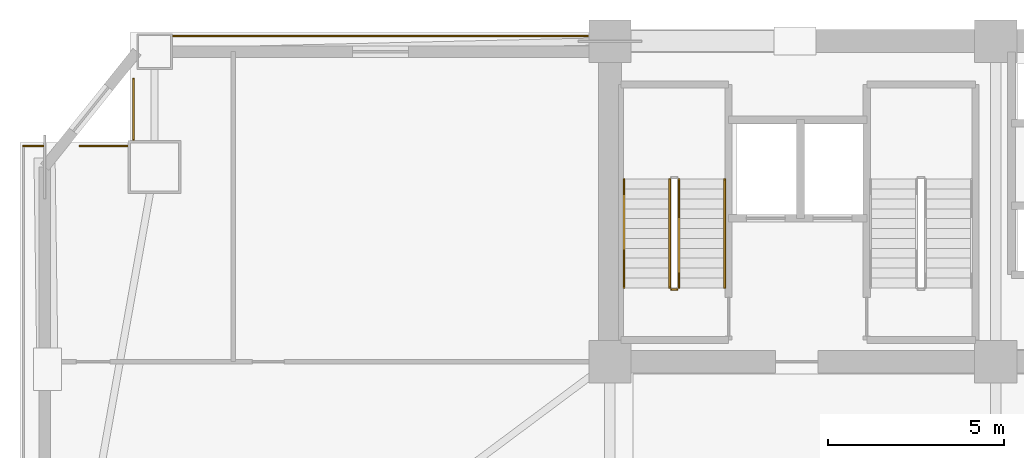
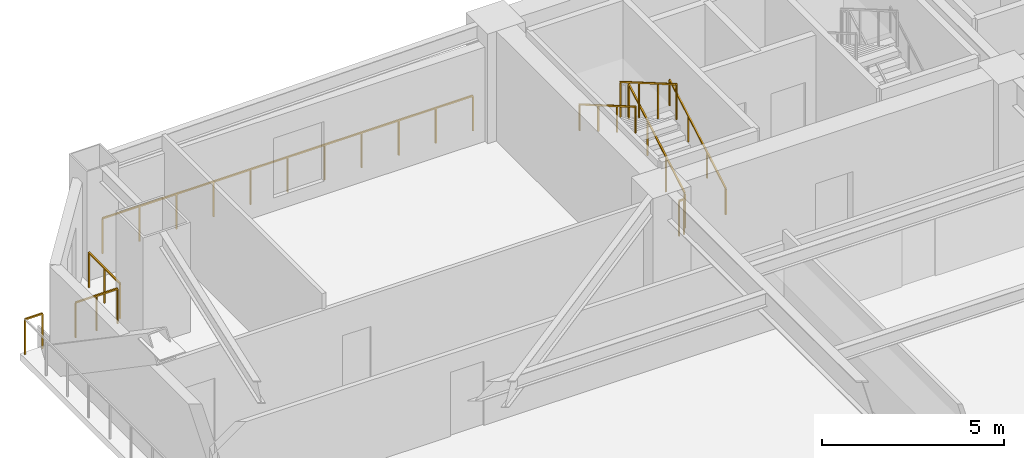
# One storey, part 16 of 18: 9 railings.
"""IFC4 building model written with IfcOpenShell, lengths in metres."""

import ifcopenshell
import ifcopenshell.guid

model = None  # the IFC model being written
_history = None  # IfcOwnerHistory: only IFC2X3 demands one
_inside = {}  # id of a spatial element -> (the spatial element, [elements in it])
_under = {}  # id of a project, library or spatial element -> (it, [spatial elements below it])
_declared = {}  # id of a project -> (the project, [libraries it declares])
_typed = {}  # id of a type object -> (the type object, [elements of that type])
_made_of = {}  # id of a material, layer set ... -> (it, [elements and type objects made of it])


def new_model(schema):
    """Start an empty IFC model of exactly this schema.

    Asked for "IFC4X3", IfcOpenShell would pick the latest addendum, in which some entities
    have other attributes; the version numbers below select the first issue.
    IFC2X3 requires an IfcOwnerHistory on every rooted entity: one is made here for all.
    """
    global model, _history
    if schema == "IFC4X3":
        model = ifcopenshell.file(schema_version=(4, 3, 0, 0))
    else:
        model = ifcopenshell.file(schema=schema)
    _inside.clear()
    _under.clear()
    _declared.clear()
    _typed.clear()
    _made_of.clear()
    _history = None
    if model.schema == "IFC2X3":
        org = make("IfcOrganization", Name="unknown")
        user = make(
            "IfcPersonAndOrganization",
            ThePerson=make("IfcPerson", FamilyName="unknown"),
            TheOrganization=org,
        )
        app = make(
            "IfcApplication",
            ApplicationDeveloper=org,
            Version="unknown",
            ApplicationFullName="unknown",
            ApplicationIdentifier="unknown",
        )
        _history = make(
            "IfcOwnerHistory",
            OwningUser=user,
            OwningApplication=app,
            ChangeAction="ADDED",
            CreationDate=0,
        )
    return model


def make(cls, **values):
    """One entity of the class cls with the attributes given. An attribute that is None is left unset."""
    return model.create_entity(
        cls, **{name: value for name, value in values.items() if value is not None}
    )


def rooted(cls, **values):
    """An entity with a GlobalId (a new one), such as an element, a storey or a relation."""
    return make(cls, GlobalId=ifcopenshell.guid.new(), OwnerHistory=_history, **values)


def si_unit(unit_type, name, prefix=None):
    """IfcSIUnit, for example si_unit("LENGTHUNIT", "METRE", prefix="MILLI")."""
    return make("IfcSIUnit", UnitType=unit_type, Prefix=prefix, Name=name)


def assignment(units):
    """IfcUnitAssignment: the units of a project."""
    return None if units is None else make("IfcUnitAssignment", Units=units)


def point(xyz):
    """IfcCartesianPoint."""
    return None if xyz is None else make("IfcCartesianPoint", Coordinates=xyz)


def direction(xyz):
    """IfcDirection."""
    return None if xyz is None else make("IfcDirection", DirectionRatios=xyz)


def frame(location, z_axis=None, x_axis=None):
    """IfcAxis2Placement3D, a coordinate frame: its origin and axes. An axis left out is left unset."""
    return make(
        "IfcAxis2Placement3D",
        Location=point(location),
        Axis=direction(z_axis),
        RefDirection=direction(x_axis),
    )


def frame_2d(location, x_axis=None):
    """IfcAxis2Placement2D, a coordinate frame in the plane: its origin and x axis."""
    return make(
        "IfcAxis2Placement2D", Location=point(location), RefDirection=direction(x_axis)
    )


def origin():
    """The frame at (0, 0, 0) with its axes left unset."""
    return frame((0.0, 0.0, 0.0))


def origin_2d():
    """The frame at (0, 0) in the plane with its x axis left unset."""
    return frame_2d((0.0, 0.0))


def place(relative_to, where):
    """IfcLocalPlacement: puts the frame where relative to a parent placement (None: the world)."""
    return make(
        "IfcLocalPlacement", PlacementRelTo=relative_to, RelativePlacement=where
    )


def context(
    kind, dimensions, precision=None, world=None, true_north=None, identifier=None
):
    """IfcGeometricRepresentationContext, for example the 3D "Model" context."""
    return make(
        "IfcGeometricRepresentationContext",
        ContextIdentifier=identifier,
        ContextType=kind,
        CoordinateSpaceDimension=dimensions,
        Precision=precision,
        WorldCoordinateSystem=world,
        TrueNorth=true_north,
    )


def subcontext(parent, identifier, kind, view, scale=None):
    """IfcGeometricRepresentationSubContext, for example "Body" below "Model"."""
    return make(
        "IfcGeometricRepresentationSubContext",
        ContextIdentifier=identifier,
        ContextType=kind,
        ParentContext=parent,
        TargetScale=scale,
        TargetView=view,
    )


def project(units=None, contexts=None):
    """IfcProject with its units and contexts."""
    return rooted(
        "IfcProject",
        Name="project",
        RepresentationContexts=contexts,
        UnitsInContext=assignment(units),
    )


def spatial(cls, under=None, at=None, **own):
    """A site, building, storey or space (cls), placed at a placement, below another one or the project."""
    s = rooted(cls, ObjectPlacement=at, **own)
    if under is not None:
        _under.setdefault(under.id(), (under, []))[1].append(s)
    return s


def profile(cls, at=None, kind="AREA", **sizes):
    """A parametric profile (cls). Its sizes go by their IFC names, for example OverallWidth=200.0."""
    return make(cls, ProfileType=kind, Position=at, **sizes)


def rectangle(**sizes):
    """IfcRectangleProfileDef."""
    return profile("IfcRectangleProfileDef", **sizes)


def extrude(swept, where, along, depth):
    """IfcExtrudedAreaSolid: the profile swept, set in the frame where, extruded along a direction by depth."""
    return make(
        "IfcExtrudedAreaSolid",
        SweptArea=swept,
        Position=where,
        ExtrudedDirection=direction(along),
        Depth=depth,
    )


def shape(context_of_items, identifier, shape_type, items):
    """IfcShapeRepresentation: the items that make up one representation, for example the "Body"."""
    return make(
        "IfcShapeRepresentation",
        ContextOfItems=context_of_items,
        RepresentationIdentifier=identifier,
        RepresentationType=shape_type,
        Items=items,
    )


def material(Name=None, Category=None):
    """IfcMaterial."""
    return make("IfcMaterial", Name=Name, Category=Category)


def made_of(thing, what):
    """Note that an element or type object is made of a material, layer set ...; save() writes the relation."""
    if what is not None:
        _made_of.setdefault(what.id(), (what, []))[1].append(thing)
    return thing


def type_object(cls, material=None, **own):
    """A type object (cls), such as IfcWallType, which elements share."""
    return made_of(rooted(cls, **own), material)


def element(
    cls,
    number,
    at=None,
    inside=None,
    cuts=None,
    type_object=None,
    material=None,
    context=None,
    identifier="Body",
    shape_type=None,
    held_by="IfcProductDefinitionShape",
    body=None,
    shapes=None,
    **own,
):
    """One element of the class cls, such as IfcWall. Its Tag is "e" and its number.

    at: its placement. inside: the storey or other place that contains it. cuts: it is an
    opening in that element (IfcRelVoidsElement). A single representation is given by context,
    identifier, shape_type and body (its items); several are given by shapes. held_by: the class
    of the entity that holds the representations. save() writes the other relations.
    """
    e = rooted(cls, Tag="e%d" % number, ObjectPlacement=at, **own)
    if body is not None:
        shapes = [shape(context, identifier, shape_type, body)]
    if shapes is not None:
        e.Representation = make(held_by, Representations=shapes)
    if inside is not None:
        _inside.setdefault(inside.id(), (inside, []))[1].append(e)
    if cuts is not None:
        rooted(
            "IfcRelVoidsElement", RelatingBuildingElement=cuts, RelatedOpeningElement=e
        )
    if type_object is not None:
        _typed.setdefault(type_object.id(), (type_object, []))[1].append(e)
    return made_of(e, material)


def aggregate(whole, parts):
    """IfcRelAggregates: a whole, such as a stair, and the parts it consists of."""
    return rooted("IfcRelAggregates", RelatingObject=whole, RelatedObjects=parts)


def save(model, path):
    """Write the relations noted so far, then the file.

    IfcRelAggregates (storeys below a building ...), IfcRelContainedInSpatialStructure (elements
    in a storey), IfcRelDefinesByType, IfcRelAssociatesMaterial and IfcRelDeclares: one each for
    every whole, place, type object, material and project.
    """
    for whole, parts in _under.values():
        aggregate(whole, parts)
    for where, things in _inside.values():
        rooted(
            "IfcRelContainedInSpatialStructure",
            RelatedElements=things,
            RelatingStructure=where,
        )
    for kind, things in _typed.values():
        rooted("IfcRelDefinesByType", RelatedObjects=things, RelatingType=kind)
    for what, things in _made_of.values():
        rooted("IfcRelAssociatesMaterial", RelatedObjects=things, RelatingMaterial=what)
    for by, libraries in _declared.values():
        rooted("IfcRelDeclares", RelatingContext=by, RelatedDefinitions=libraries)
    model.write(path)


model = new_model("IFC4")

# Units and contexts
model_context = context("Model", 3, precision=1e-05, world=origin(), true_north=direction((0.0, 1.0)))
body_context = subcontext(model_context, "Body", "Model", "MODEL_VIEW")
ifc_project = project(units=[si_unit("LENGTHUNIT", "METRE"), si_unit("AREAUNIT", "SQUARE_METRE"), si_unit("VOLUMEUNIT", "CUBIC_METRE"), si_unit("PLANEANGLEUNIT", "RADIAN"), si_unit("MASSUNIT", "GRAM", prefix="KILO")], contexts=[model_context])

# Site, building, storey
site_placement = place(None, origin())
site = spatial("IfcSite", under=ifc_project, at=site_placement, CompositionType="ELEMENT")
building_placement = place(site_placement, origin())
building = spatial("IfcBuilding", under=site, at=building_placement, Name="Giltprow Tower", CompositionType="ELEMENT")
storey_placement = place(building_placement, frame((0.0, 0.0, 61.10009765625)))
storey = spatial("IfcBuildingStorey", under=building, at=storey_placement, Name="L15", CompositionType="ELEMENT", Elevation=61.10009765625)

# Railings
ifc_material = material(Name="Anodized bronze", Category="metal")
railing_type_1 = type_object("IfcRailingType", Name="RAIL-BALC-GUARD-1200", PredefinedType="BALUSTRADE", material=ifc_material)
railing_1_placement = place(storey_placement, frame((3.205078125, 43.577880859375, 0.0)))
element("IfcRailing", 1, at=railing_1_placement, inside=storey, type_object=railing_type_1, Name="L15 Corner Apron Edge Balustrade 6", PredefinedType="BALUSTRADE", context=body_context, shape_type="SweptSolid", body=[
    extrude(rectangle(XDim=0.048095703125, YDim=0.048095703125, at=origin_2d()), frame((0.0, 0.0, 1.17578125), z_axis=(1.0, 0.0, 0.0), x_axis=(0.0, 1.0, 0.0)), (0.0, 0.0, 1.0), 0.554931640625),
    extrude(rectangle(XDim=0.0419921875, YDim=0.0419921875, at=origin_2d()), origin(), (0.0, 0.0, 1.0), 1.15185546875),
    extrude(rectangle(XDim=0.0419921875, YDim=0.0419921875, at=origin_2d()), frame((0.554931640625, 0.0, 0.0)), (0.0, 0.0, 1.0), 1.15185546875),
])
railing_2_placement = place(storey_placement, frame((4.81103515625, 43.577880859375, 0.0)))
element("IfcRailing", 2, at=railing_2_placement, inside=storey, type_object=railing_type_1, Name="L15 Corner Apron Edge Balustrade 7", PredefinedType="BALUSTRADE", context=body_context, shape_type="SweptSolid", body=[
    extrude(rectangle(XDim=0.048095703125, YDim=0.048095703125, at=origin_2d()), frame((0.0, 0.0, 1.17578125), z_axis=(1.0, 0.0, 0.0), x_axis=(0.0, 1.0, 0.0)), (0.0, 0.0, 1.0), 1.3310546875),
    extrude(rectangle(XDim=0.0419921875, YDim=0.0419921875, at=origin_2d()), origin(), (0.0, 0.0, 1.0), 1.15185546875),
    extrude(rectangle(XDim=0.0419921875, YDim=0.0419921875, at=origin_2d()), frame((0.66552734375, 0.0, 0.0)), (0.0, 0.0, 1.0), 1.15185546875),
    extrude(rectangle(XDim=0.0419921875, YDim=0.0419921875, at=origin_2d()), frame((1.3310546875, 0.0, 0.0)), (0.0, 0.0, 1.0), 1.15185546875),
])
railing_3_placement = place(storey_placement, frame((6.326904296875, 43.762939453125, 0.0)))
element("IfcRailing", 3, at=railing_3_placement, inside=storey, type_object=railing_type_1, Name="L15 Corner Apron Edge Balustrade 8", PredefinedType="BALUSTRADE", context=body_context, shape_type="SweptSolid", body=[
    extrude(rectangle(XDim=0.048095703125, YDim=0.048095703125, at=origin_2d()), frame((0.0, 0.0, 1.17578125), z_axis=(0.0, 1.0, 0.0), x_axis=(-1.0, 0.0, 0.0)), (0.0, 0.0, 1.0), 1.70703125),
    extrude(rectangle(XDim=0.0419921875, YDim=0.0419921875, at=origin_2d()), origin(), (0.0, 0.0, 1.0), 1.15185546875),
    extrude(rectangle(XDim=0.0419921875, YDim=0.0419921875, at=origin_2d()), frame((0.0, 0.853515625, 0.0)), (0.0, 0.0, 1.0), 1.15185546875),
    extrude(rectangle(XDim=0.0419921875, YDim=0.0419921875, at=origin_2d()), frame((0.0, 1.70703125, 0.0)), (0.0, 0.0, 1.0), 1.15185546875),
])
railing_4_placement = place(storey_placement, frame((7.4619140625, 46.699951171875, 0.0)))
element("IfcRailing", 4, at=railing_4_placement, inside=storey, type_object=railing_type_1, Name="L15 Corner Apron Edge Balustrade 9", PredefinedType="BALUSTRADE", context=body_context, shape_type="SweptSolid", body=[
    extrude(rectangle(XDim=0.048095703125, YDim=0.048095703125, at=origin_2d()), frame((0.0, 0.0, 1.17578125), z_axis=(1.0, 0.0, 0.0), x_axis=(0.0, 1.0, 0.0)), (0.0, 0.0, 1.0), 11.753173828125),
    extrude(rectangle(XDim=0.0419921875, YDim=0.0419921875, at=origin_2d()), origin(), (0.0, 0.0, 1.0), 1.15185546875),
    extrude(rectangle(XDim=0.0419921875, YDim=0.0419921875, at=origin_2d()), frame((1.17529296875, 0.0, 0.0)), (0.0, 0.0, 1.0), 1.15185546875),
    extrude(rectangle(XDim=0.0419921875, YDim=0.0419921875, at=origin_2d()), frame((2.3505859375, 0.0, 0.0)), (0.0, 0.0, 1.0), 1.15185546875),
    extrude(rectangle(XDim=0.0419921875, YDim=0.0419921875, at=origin_2d()), frame((3.52587890625, 0.0, 0.0)), (0.0, 0.0, 1.0), 1.15185546875),
    extrude(rectangle(XDim=0.0419921875, YDim=0.0419921875, at=origin_2d()), frame((4.701171875, 0.0, 0.0)), (0.0, 0.0, 1.0), 1.15185546875),
    extrude(rectangle(XDim=0.0419921875, YDim=0.0419921875, at=origin_2d()), frame((5.87646484375, 0.0, 0.0)), (0.0, 0.0, 1.0), 1.15185546875),
    extrude(rectangle(XDim=0.0419921875, YDim=0.0419921875, at=origin_2d()), frame((7.052001953125, 0.0, 0.0)), (0.0, 0.0, 1.0), 1.15185546875),
    extrude(rectangle(XDim=0.0419921875, YDim=0.0419921875, at=origin_2d()), frame((8.227294921875, 0.0, 0.0)), (0.0, 0.0, 1.0), 1.15185546875),
    extrude(rectangle(XDim=0.0419921875, YDim=0.0419921875, at=origin_2d()), frame((9.402587890625, 0.0, 0.0)), (0.0, 0.0, 1.0), 1.15185546875),
    extrude(rectangle(XDim=0.0419921875, YDim=0.0419921875, at=origin_2d()), frame((10.577880859375, 0.0, 0.0)), (0.0, 0.0, 1.0), 1.15185546875),
    extrude(rectangle(XDim=0.0419921875, YDim=0.0419921875, at=origin_2d()), frame((11.753173828125, 0.0, 0.0)), (0.0, 0.0, 1.0), 1.15185546875),
])
railing_type_2 = type_object("IfcRailingType", Name="RAIL-STAIR-GUARD-1200", PredefinedType="GUARDRAIL", material=ifc_material)
railing_5_placement = place(storey_placement, frame((21.81005859375, 39.550048828125, 0.162353515625)))
element("IfcRailing", 5, at=railing_5_placement, inside=storey, type_object=railing_type_2, Name="L15 ST-1 stair guard 1", PredefinedType="GUARDRAIL", context=body_context, shape_type="SweptSolid", body=[
    extrude(rectangle(XDim=0.048095703125, YDim=0.048095703125, at=origin_2d()), frame((0.0, 0.0, 1.17578125), z_axis=(0.0, 0.864873446163, 0.501989962173), x_axis=(-1.0, 0.0, 0.0)), (0.0, 0.0, 1.0), 3.56103515625),
    extrude(rectangle(XDim=0.0419921875, YDim=0.0419921875, at=origin_2d()), origin(), (0.0, 0.0, 1.0), 1.15185546875),
    extrude(rectangle(XDim=0.0419921875, YDim=0.0419921875, at=origin_2d()), frame((0.0, 1.026611328125, 0.595947265625)), (0.0, 0.0, 1.0), 1.15185546875),
    extrude(rectangle(XDim=0.0419921875, YDim=0.0419921875, at=origin_2d()), frame((0.0, 2.05322265625, 1.191650390625)), (0.0, 0.0, 1.0), 1.15185546875),
    extrude(rectangle(XDim=0.0419921875, YDim=0.0419921875, at=origin_2d()), frame((0.0, 3.079833984375, 1.78759765625)), (0.0, 0.0, 1.0), 1.15185546875),
])
railing_6_placement = place(storey_placement, frame((21.550048828125, 42.6298828125, 2.1123046875)))
element("IfcRailing", 6, at=railing_6_placement, inside=storey, type_object=railing_type_2, Name="L15 ST-1 stair guard 3", PredefinedType="GUARDRAIL", context=body_context, shape_type="SweptSolid", body=[
    extrude(rectangle(XDim=0.048095703125, YDim=0.048095703125, at=origin_2d()), frame((0.0, 0.0, 1.17578125), z_axis=(0.0, -0.864873446163, 0.501989962173), x_axis=(1.0, 0.0, 0.0)), (0.0, 0.0, 1.0), 3.56103515625),
    extrude(rectangle(XDim=0.0419921875, YDim=0.0419921875, at=origin_2d()), origin(), (0.0, 0.0, 1.0), 1.15185546875),
    extrude(rectangle(XDim=0.0419921875, YDim=0.0419921875, at=origin_2d()), frame((0.0, -1.026611328125, 0.595947265625)), (0.0, 0.0, 1.0), 1.15185546875),
    extrude(rectangle(XDim=0.0419921875, YDim=0.0419921875, at=origin_2d()), frame((0.0, -2.05322265625, 1.191650390625)), (0.0, 0.0, 1.0), 1.15185546875),
    extrude(rectangle(XDim=0.0419921875, YDim=0.0419921875, at=origin_2d()), frame((0.0, -3.079833984375, 1.78759765625)), (0.0, 0.0, 1.0), 1.15185546875),
])
railing_7_placement = place(storey_placement, frame((21.760009765625, 39.5, 0.0)))
element("IfcRailing", 7, at=railing_7_placement, inside=storey, type_object=railing_type_2, Name="L15 ST-1 stair guard 4", PredefinedType="GUARDRAIL", context=body_context, shape_type="SweptSolid", body=[
    extrude(rectangle(XDim=0.048095703125, YDim=0.048095703125, at=origin_2d()), frame((0.0, 0.0, 1.17578125), z_axis=(-1.0, 0.0, 0.0), x_axis=(0.0, -1.0, 0.0)), (0.0, 0.0, 1.0), 0.159912109375),
    extrude(rectangle(XDim=0.0419921875, YDim=0.0419921875, at=origin_2d()), origin(), (0.0, 0.0, 1.0), 1.15185546875),
    extrude(rectangle(XDim=0.0419921875, YDim=0.0419921875, at=origin_2d()), frame((-0.159912109375, 0.0, 0.0)), (0.0, 0.0, 1.0), 1.15185546875),
])
railing_type_3 = type_object("IfcRailingType", Name="RAIL-STAIR-HAND-900", PredefinedType="HANDRAIL", material=ifc_material)
railing_8_placement = place(storey_placement, frame((23.110107421875, 39.550048828125, 0.162353515625)))
element("IfcRailing", 8, at=railing_8_placement, inside=storey, type_object=railing_type_3, Name="L15 ST-1 stair handrail 1", PredefinedType="HANDRAIL", context=body_context, shape_type="SweptSolid", body=[
    extrude(rectangle(XDim=0.048095703125, YDim=0.048095703125, at=origin_2d()), frame((0.0, 0.0, 0.8759765625), z_axis=(0.0, 0.864873446163, 0.501989962173), x_axis=(-1.0, 0.0, 0.0)), (0.0, 0.0, 1.0), 3.56103515625),
    extrude(rectangle(XDim=0.0419921875, YDim=0.0419921875, at=origin_2d()), origin(), (0.0, 0.0, 1.0), 0.851806640625),
    extrude(rectangle(XDim=0.0419921875, YDim=0.0419921875, at=origin_2d()), frame((0.0, 1.026611328125, 0.595947265625)), (0.0, 0.0, 1.0), 0.851806640625),
    extrude(rectangle(XDim=0.0419921875, YDim=0.0419921875, at=origin_2d()), frame((0.0, 2.05322265625, 1.191650390625)), (0.0, 0.0, 1.0), 0.851806640625),
    extrude(rectangle(XDim=0.0419921875, YDim=0.0419921875, at=origin_2d()), frame((0.0, 3.079833984375, 1.78759765625)), (0.0, 0.0, 1.0), 0.851806640625),
])
railing_9_placement = place(storey_placement, frame((20.25, 42.6298828125, 2.1123046875)))
element("IfcRailing", 9, at=railing_9_placement, inside=storey, type_object=railing_type_3, Name="L15 ST-1 stair handrail 2", PredefinedType="HANDRAIL", context=body_context, shape_type="SweptSolid", body=[
    extrude(rectangle(XDim=0.048095703125, YDim=0.048095703125, at=origin_2d()), frame((0.0, 0.0, 0.8759765625), z_axis=(0.0, -0.864873446163, 0.501989962173), x_axis=(1.0, 0.0, 0.0)), (0.0, 0.0, 1.0), 3.56103515625),
    extrude(rectangle(XDim=0.0419921875, YDim=0.0419921875, at=origin_2d()), origin(), (0.0, 0.0, 1.0), 0.851806640625),
    extrude(rectangle(XDim=0.0419921875, YDim=0.0419921875, at=origin_2d()), frame((0.0, -1.026611328125, 0.595947265625)), (0.0, 0.0, 1.0), 0.851806640625),
    extrude(rectangle(XDim=0.0419921875, YDim=0.0419921875, at=origin_2d()), frame((0.0, -2.05322265625, 1.191650390625)), (0.0, 0.0, 1.0), 0.851806640625),
    extrude(rectangle(XDim=0.0419921875, YDim=0.0419921875, at=origin_2d()), frame((0.0, -3.079833984375, 1.78759765625)), (0.0, 0.0, 1.0), 0.851806640625),
])

save(model, "model.ifc")
